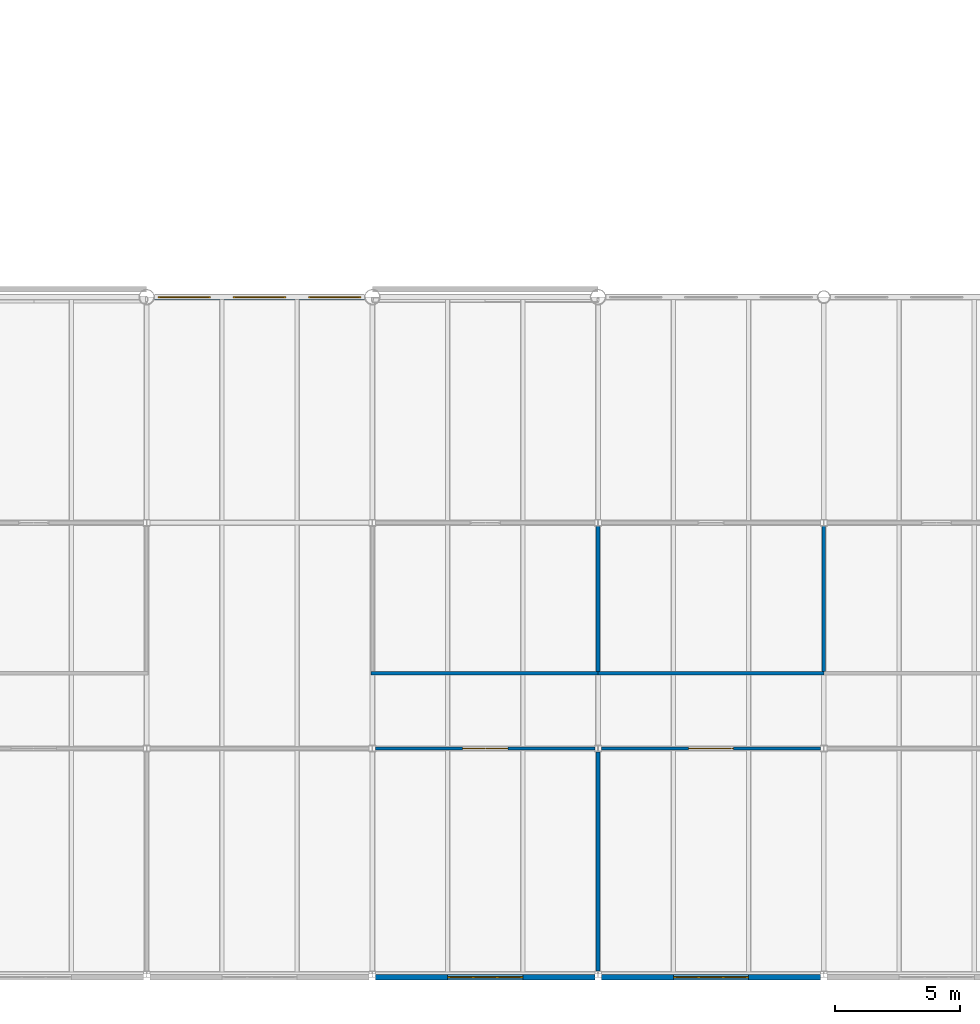
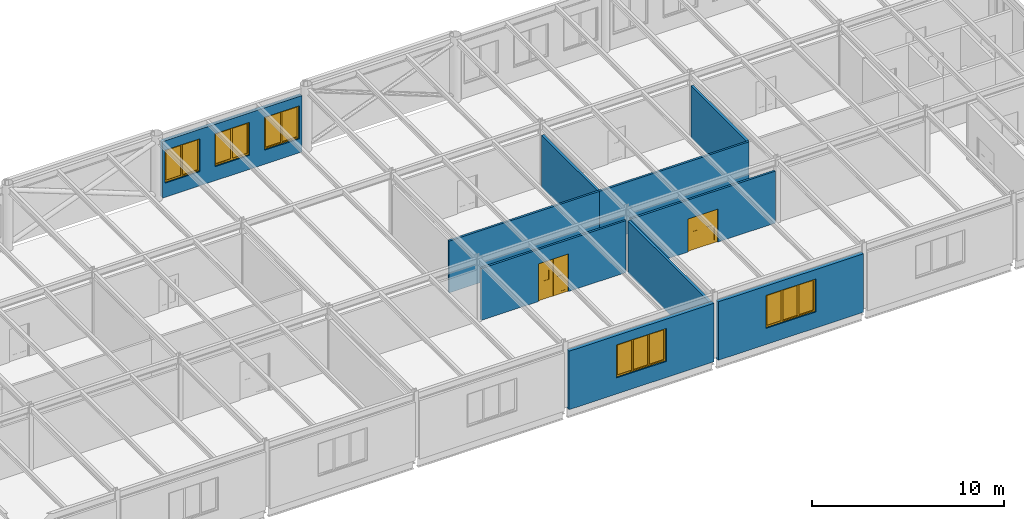
# One storey, part 64 of 123: 10 walls, 5 windows, 2 doors, 7 openings.
"""IFC4 building model written with IfcOpenShell, lengths in metres."""

from ifc_helpers import new_model, si_unit, direction, frame, frame_2d, origin, place, context, subcontext, project, spatial, polyline, rectangle, outline, extrude, material, layer, layer_set, type_object, element, fill, save


model = new_model("IFC4")

# Units and contexts
model_context = context("Model", 3, precision=1e-05, world=origin(), true_north=direction((0.0, 1.0)))
body_context = subcontext(model_context, "Body", "Model", "MODEL_VIEW")
ifc_project = project(units=[si_unit("LENGTHUNIT", "METRE"), si_unit("AREAUNIT", "SQUARE_METRE"), si_unit("VOLUMEUNIT", "CUBIC_METRE"), si_unit("PLANEANGLEUNIT", "RADIAN"), si_unit("MASSUNIT", "GRAM", prefix="KILO")], contexts=[model_context])

# Site, building, storey
site_placement = place(None, origin())
site = spatial("IfcSite", under=ifc_project, at=site_placement, CompositionType="ELEMENT")
building_placement = place(site_placement, origin())
building = spatial("IfcBuilding", under=site, at=building_placement, Name="Baradari Gate Terminus", CompositionType="ELEMENT")
storey_placement = place(building_placement, frame((0.0, 0.0, 7.5)))
storey = spatial("IfcBuildingStorey", under=building, at=storey_placement, Name="L01", CompositionType="ELEMENT", Elevation=7.5)

# Wall, opening, door
ifc_material_1 = material(Name="Gypsum board")
ifc_layer_1 = layer(ifc_material_1, 0.125)
ifc_layer_set_1 = layer_set([ifc_layer_1], Name="Gypsum board")
wall_type_1 = type_object("IfcWallType", Name="Corridor partition PT-5 125 EI 30", PredefinedType="PARTITIONING", material=ifc_layer_set_1)
wall_1_placement = place(storey_placement, frame((134.871826171875, 18.0, 0.0), z_axis=(0.0, 0.0, 1.0), x_axis=(-1.0, 0.0, 0.0)))
wall_1 = element("IfcWall", 1, at=wall_1_placement, inside=storey, type_object=wall_type_1, Name="PT-5 partition Corridor (Service Corridor South) / Open Office South", PredefinedType="PARTITIONING", context=body_context, shape_type="SweptSolid", body=[
    extrude(rectangle(XDim=8.74365234375, YDim=0.125, at=frame_2d((4.371826171875, 0.0))), origin(), (0.0, 0.0, 1.0), 3.306884765625),
])
opening_1_placement = place(wall_1_placement, frame((3.471923828125, 0.0, 0.0)))
opening_1 = element("IfcOpeningElement", 2, at=opening_1_placement, cuts=wall_1, Name="Opening D01-085", PredefinedType="OPENING", context=body_context, shape_type="SweptSolid", body=[
    extrude(rectangle(XDim=1.800048828125, YDim=2.10009765625, at=frame_2d((0.89990234375, 1.050048828125))), frame((0.0, 0.072509765625, 0.0), z_axis=(0.0, -1.0, 0.0), x_axis=(1.0, 0.0, 0.0)), (0.0, 0.0, 1.0), 0.14501953125),
])
ifc_material_2 = material(Name="Steel S275", Category="steel")
door_type_1 = type_object("IfcDoorType", Name="Fire door FI-1800-FD30S 1800x2100 FD30S", OperationType="DOUBLE_DOOR_SINGLE_SWING", PredefinedType="DOOR", material=ifc_material_2)
door_1_placement = place(opening_1_placement, origin())
door_1 = element("IfcDoor", 3, at=door_1_placement, inside=storey, type_object=door_type_1, Name="Door Open Office South", OperationType="DOUBLE_DOOR_SINGLE_SWING", OverallHeight=2.1, OverallWidth=1.8, PredefinedType="DOOR", context=body_context, shape_type="SweptSolid", body=[
    extrude(outline(polyline([(0.0, 0.0), (0.070068359375, 0.0), (0.070068359375, 2.030029296875), (1.72998046875, 2.030029296875), (1.72998046875, 0.0), (1.800048828125, 0.0), (1.800048828125, 2.10009765625), (0.0, 2.10009765625), (0.0, 0.0)])), frame((0.0, 0.02490234375, 0.0), z_axis=(0.0, -1.0, 0.0), x_axis=(1.0, 0.0, 0.0)), (0.0, 0.0, 1.0), 0.050048828125),
    extrude(outline(polyline([(0.073974609375, 0.010009765625), (0.89697265625, 0.010009765625), (0.89697265625, 2.026123046875), (0.073974609375, 2.026123046875), (0.073974609375, 0.010009765625)]), holes=[polyline([(0.194091796875, 0.159912109375), (0.77685546875, 0.159912109375), (0.77685546875, 1.010009765625), (0.194091796875, 1.010009765625), (0.194091796875, 0.159912109375)]), polyline([(0.33544921875, 1.159912109375), (0.635498046875, 1.159912109375), (0.635498046875, 1.760009765625), (0.33544921875, 1.760009765625), (0.33544921875, 1.159912109375)])]), frame((0.0, 0.017333984375, 0.0), z_axis=(0.0, -1.0, 0.0), x_axis=(1.0, 0.0, 0.0)), (0.0, 0.0, 1.0), 0.034912109375),
    extrude(rectangle(XDim=0.582763671875, YDim=0.85009765625, at=frame_2d((0.4853515625, 0.5849609375))), frame((0.0, 0.008544921875, 0.0), z_axis=(0.0, -1.0, 0.0), x_axis=(1.0, 0.0, 0.0)), (0.0, 0.0, 1.0), 0.017333984375),
    extrude(rectangle(XDim=0.300048828125, YDim=0.60009765625, at=frame_2d((0.4853515625, 1.4599609375))), frame((0.0, 0.005859375, 0.0), z_axis=(0.0, -1.0, 0.0), x_axis=(1.0, 0.0, 0.0)), (0.0, 0.0, 1.0), 0.011962890625),
    extrude(outline(polyline([(0.903076171875, 0.010009765625), (1.72607421875, 0.010009765625), (1.72607421875, 2.026123046875), (0.903076171875, 2.026123046875), (0.903076171875, 0.010009765625)]), holes=[polyline([(1.023193359375, 0.159912109375), (1.60595703125, 0.159912109375), (1.60595703125, 1.010009765625), (1.023193359375, 1.010009765625), (1.023193359375, 0.159912109375)]), polyline([(1.16455078125, 1.159912109375), (1.464599609375, 1.159912109375), (1.464599609375, 1.760009765625), (1.16455078125, 1.760009765625), (1.16455078125, 1.159912109375)])]), frame((0.0, 0.017333984375, 0.0), z_axis=(0.0, -1.0, 0.0), x_axis=(1.0, 0.0, 0.0)), (0.0, 0.0, 1.0), 0.034912109375),
    extrude(rectangle(XDim=0.582763671875, YDim=0.85009765625, at=frame_2d((1.314453125, 0.5849609375))), frame((0.0, 0.008544921875, 0.0), z_axis=(0.0, -1.0, 0.0), x_axis=(1.0, 0.0, 0.0)), (0.0, 0.0, 1.0), 0.017333984375),
    extrude(rectangle(XDim=0.300048828125, YDim=0.60009765625, at=frame_2d((1.314453125, 1.4599609375))), frame((0.0, 0.005859375, 0.0), z_axis=(0.0, -1.0, 0.0), x_axis=(1.0, 0.0, 0.0)), (0.0, 0.0, 1.0), 0.011962890625),
])
fill(opening_1, door_1)

wall_2_placement = place(storey_placement, frame((125.871826171875, 18.0, 0.0), z_axis=(0.0, 0.0, 1.0), x_axis=(-1.0, 0.0, 0.0)))
wall_2 = element("IfcWall", 4, at=wall_2_placement, inside=storey, type_object=wall_type_1, Name="PT-5 partition Corridor (Service Corridor South) / Training Room South", PredefinedType="PARTITIONING", context=body_context, shape_type="SweptSolid", body=[
    extrude(rectangle(XDim=8.74365234375, YDim=0.125, at=frame_2d((4.371826171875, 0.0))), origin(), (0.0, 0.0, 1.0), 3.306884765625),
])
opening_2_placement = place(wall_2_placement, frame((3.471923828125, 0.0, 0.0)))
opening_2 = element("IfcOpeningElement", 5, at=opening_2_placement, cuts=wall_2, Name="Opening D01-084", PredefinedType="OPENING", context=body_context, shape_type="SweptSolid", body=[
    extrude(rectangle(XDim=1.800048828125, YDim=2.39990234375, at=frame_2d((0.89990234375, 1.199951171875))), frame((0.0, 0.072509765625, 0.0), z_axis=(0.0, -1.0, 0.0), x_axis=(1.0, 0.0, 0.0)), (0.0, 0.0, 1.0), 0.14501953125),
])
ifc_material_3 = material(Name="Steel S275", Category="steel")
door_type_2 = type_object("IfcDoorType", Name="Fire door FI-1800x2400-FD30S 1800x2400 FD30S", OperationType="DOUBLE_DOOR_SINGLE_SWING", PredefinedType="DOOR", material=ifc_material_3)
door_2_placement = place(opening_2_placement, frame((1.800048828125, 0.0, 0.0), z_axis=(0.0, 0.0, 1.0), x_axis=(-1.0, 0.0, 0.0)))
door_2 = element("IfcDoor", 6, at=door_2_placement, inside=storey, type_object=door_type_2, Name="Door Training Room South", OperationType="DOUBLE_DOOR_SINGLE_SWING", OverallHeight=2.4, OverallWidth=1.8, PredefinedType="DOOR", context=body_context, shape_type="SweptSolid", body=[
    extrude(outline(polyline([(0.0, 0.0), (0.070068359375, 0.0), (0.070068359375, 2.329833984375), (1.72998046875, 2.329833984375), (1.72998046875, 0.0), (1.800048828125, 0.0), (1.800048828125, 2.39990234375), (0.0, 2.39990234375), (0.0, 0.0)])), frame((0.0, 0.02490234375, 0.0), z_axis=(0.0, -1.0, 0.0), x_axis=(1.0, 0.0, 0.0)), (0.0, 0.0, 1.0), 0.050048828125),
    extrude(outline(polyline([(0.073974609375, 0.010009765625), (0.89697265625, 0.010009765625), (0.89697265625, 2.325927734375), (0.073974609375, 2.325927734375), (0.073974609375, 0.010009765625)]), holes=[polyline([(0.194091796875, 0.159912109375), (0.77685546875, 0.159912109375), (0.77685546875, 1.010009765625), (0.194091796875, 1.010009765625), (0.194091796875, 0.159912109375)]), polyline([(0.33544921875, 1.159912109375), (0.635498046875, 1.159912109375), (0.635498046875, 1.760009765625), (0.33544921875, 1.760009765625), (0.33544921875, 1.159912109375)])]), frame((0.0, 0.017333984375, 0.0), z_axis=(0.0, -1.0, 0.0), x_axis=(1.0, 0.0, 0.0)), (0.0, 0.0, 1.0), 0.034912109375),
    extrude(rectangle(XDim=0.582763671875, YDim=0.85009765625, at=frame_2d((0.4853515625, 0.5849609375))), frame((0.0, 0.008544921875, 0.0), z_axis=(0.0, -1.0, 0.0), x_axis=(1.0, 0.0, 0.0)), (0.0, 0.0, 1.0), 0.017333984375),
    extrude(rectangle(XDim=0.300048828125, YDim=0.60009765625, at=frame_2d((0.4853515625, 1.4599609375))), frame((0.0, 0.005859375, 0.0), z_axis=(0.0, -1.0, 0.0), x_axis=(1.0, 0.0, 0.0)), (0.0, 0.0, 1.0), 0.011962890625),
    extrude(outline(polyline([(0.903076171875, 0.010009765625), (1.72607421875, 0.010009765625), (1.72607421875, 2.325927734375), (0.903076171875, 2.325927734375), (0.903076171875, 0.010009765625)]), holes=[polyline([(1.023193359375, 0.159912109375), (1.60595703125, 0.159912109375), (1.60595703125, 1.010009765625), (1.023193359375, 1.010009765625), (1.023193359375, 0.159912109375)]), polyline([(1.16455078125, 1.159912109375), (1.464599609375, 1.159912109375), (1.464599609375, 1.760009765625), (1.16455078125, 1.760009765625), (1.16455078125, 1.159912109375)])]), frame((0.0, 0.017333984375, 0.0), z_axis=(0.0, -1.0, 0.0), x_axis=(1.0, 0.0, 0.0)), (0.0, 0.0, 1.0), 0.034912109375),
    extrude(rectangle(XDim=0.582763671875, YDim=0.85009765625, at=frame_2d((1.314453125, 0.5849609375))), frame((0.0, 0.008544921875, 0.0), z_axis=(0.0, -1.0, 0.0), x_axis=(1.0, 0.0, 0.0)), (0.0, 0.0, 1.0), 0.017333984375),
    extrude(rectangle(XDim=0.300048828125, YDim=0.60009765625, at=frame_2d((1.314453125, 1.4599609375))), frame((0.0, 0.005859375, 0.0), z_axis=(0.0, -1.0, 0.0), x_axis=(1.0, 0.0, 0.0)), (0.0, 0.0, 1.0), 0.011962890625),
])
fill(opening_2, door_2)

# Walls
wall_3_placement = place(storey_placement, frame((126.0, 21.0, 0.0), z_axis=(0.0, 0.0, 1.0), x_axis=(1.0, 0.0, 0.0)))
element("IfcWall", 7, at=wall_3_placement, inside=storey, type_object=wall_type_1, Name="PT-5 partition Corridor (Service Corridor South) / Meeting Room 3", PredefinedType="PARTITIONING", context=body_context, shape_type="SweptSolid", body=[
    extrude(rectangle(XDim=9.0, YDim=0.125, at=frame_2d((4.5, 0.0))), origin(), (0.0, 0.0, 1.0), 3.306884765625),
])
wall_4_placement = place(storey_placement, frame((116.9375, 21.0, 0.0), z_axis=(0.0, 0.0, 1.0), x_axis=(1.0, 0.0, 0.0)))
element("IfcWall", 8, at=wall_4_placement, inside=storey, type_object=wall_type_1, Name="PT-5 partition Corridor (Service Corridor South) / South Wing Office 5", PredefinedType="PARTITIONING", context=body_context, shape_type="SweptSolid", body=[
    extrude(rectangle(XDim=9.0625, YDim=0.125, at=frame_2d((4.53125, 0.0))), origin(), (0.0, 0.0, 1.0), 3.306884765625),
])

# Wall, opening, window
ifc_material_4 = material(Name="Light ochre laterite masonry", Category="masonry")
ifc_layer_2 = layer(ifc_material_4, 0.219970703125)
ifc_layer_set_2 = layer_set([ifc_layer_2], Name="Light ochre laterite masonry")
wall_type_2 = type_object("IfcWallType", Name="Laterite masonry wall WP-2 220", PredefinedType="SOLIDWALL", material=ifc_layer_set_2)
wall_5_placement = place(storey_placement, frame((117.127197265625, 8.880126953125, -0.1298828125), z_axis=(0.0, 0.0, 1.0), x_axis=(1.0, 0.0, 0.0)))
wall_5 = element("IfcWall", 9, at=wall_5_placement, inside=storey, type_object=wall_type_2, Name="south front wall SS bay 14 L01", PredefinedType="SOLIDWALL", context=body_context, shape_type="SweptSolid", body=[
    extrude(rectangle(XDim=8.74560546875, YDim=0.219970703125, at=frame_2d((4.372802734375, 0.0))), origin(), (0.0, 0.0, 1.0), 3.7265625),
])
opening_3_placement = place(wall_5_placement, frame((2.872802734375, 0.0, 1.030029296875)))
opening_3 = element("IfcOpeningElement", 10, at=opening_3_placement, cuts=wall_5, Name="Opening W5", PredefinedType="OPENING", context=body_context, shape_type="SweptSolid", body=[
    extrude(rectangle(XDim=3.0, YDim=2.10009765625, at=frame_2d((1.5, 1.050048828125))), frame((0.0, 0.119873046875, 0.0), z_axis=(0.0, -1.0, 0.0), x_axis=(1.0, 0.0, 0.0)), (0.0, 0.0, 1.0), 0.239990234375),
])
ifc_material_5 = material(Name="Aluminium 6063-T6", Category="aluminium")
window_type_1 = type_object("IfcWindowType", Name="Wide window, 4-light W5 3000x2100", PartitioningType="TRIPLE_PANEL_VERTICAL", PredefinedType="WINDOW", material=ifc_material_5)
window_1_placement = place(opening_3_placement, origin())
window_1 = element("IfcWindow", 11, at=window_1_placement, inside=storey, type_object=window_type_1, Name="Window W5 SS/13", OverallHeight=2.1, OverallWidth=3.0, PartitioningType="TRIPLE_PANEL_VERTICAL", PredefinedType="WINDOW", context=body_context, shape_type="SweptSolid", body=[
    extrude(outline(polyline([(0.0, 0.0), (3.0, 0.0), (3.0, 2.10009765625), (0.0, 2.10009765625), (0.0, 0.0)]), holes=[polyline([(0.070068359375, 0.070068359375), (2.929931640625, 0.070068359375), (2.929931640625, 2.030029296875), (0.070068359375, 2.030029296875), (0.070068359375, 0.070068359375)])]), frame((0.0, 0.030029296875, 0.0), z_axis=(0.0, -1.0, 0.0), x_axis=(1.0, 0.0, 0.0)), (0.0, 0.0, 1.0), 0.06005859375),
    extrude(rectangle(XDim=0.0400390625, YDim=1.9599609375, at=frame_2d((1.0166015625, 1.050048828125))), frame((0.0, 0.02197265625, 0.0), z_axis=(0.0, -1.0, 0.0), x_axis=(1.0, 0.0, 0.0)), (0.0, 0.0, 1.0), 0.0439453125),
    extrude(rectangle(XDim=0.0400390625, YDim=1.9599609375, at=frame_2d((1.9833984375, 1.050048828125))), frame((0.0, 0.02197265625, 0.0), z_axis=(0.0, -1.0, 0.0), x_axis=(1.0, 0.0, 0.0)), (0.0, 0.0, 1.0), 0.0439453125),
    extrude(outline(polyline([(0.070068359375, 0.070068359375), (0.99658203125, 0.070068359375), (0.99658203125, 2.030029296875), (0.070068359375, 2.030029296875), (0.070068359375, 0.070068359375)]), holes=[polyline([(0.10009765625, 0.10009765625), (0.966552734375, 0.10009765625), (0.966552734375, 2.0), (0.10009765625, 2.0), (0.10009765625, 0.10009765625)])]), frame((0.0, 0.0224609375, 0.0), z_axis=(0.0, -1.0, 0.0), x_axis=(1.0, 0.0, 0.0)), (0.0, 0.0, 1.0), 0.044921875),
    extrude(rectangle(XDim=0.866455078125, YDim=1.89990234375, at=frame_2d((0.533203125, 1.050048828125))), frame((0.0, 0.006103515625, 0.0), z_axis=(0.0, -1.0, 0.0), x_axis=(1.0, 0.0, 0.0)), (0.0, 0.0, 1.0), 0.01220703125),
    extrude(outline(polyline([(1.03662109375, 0.070068359375), (1.96337890625, 0.070068359375), (1.96337890625, 2.030029296875), (1.03662109375, 2.030029296875), (1.03662109375, 0.070068359375)]), holes=[polyline([(1.066650390625, 0.10009765625), (1.933349609375, 0.10009765625), (1.933349609375, 2.0), (1.066650390625, 2.0), (1.066650390625, 0.10009765625)])]), frame((0.0, 0.0224609375, 0.0), z_axis=(0.0, -1.0, 0.0), x_axis=(1.0, 0.0, 0.0)), (0.0, 0.0, 1.0), 0.044921875),
    extrude(rectangle(XDim=0.86669921875, YDim=1.89990234375, at=frame_2d((1.5, 1.050048828125))), frame((0.0, 0.006103515625, 0.0), z_axis=(0.0, -1.0, 0.0), x_axis=(1.0, 0.0, 0.0)), (0.0, 0.0, 1.0), 0.01220703125),
    extrude(outline(polyline([(2.00341796875, 0.070068359375), (2.929931640625, 0.070068359375), (2.929931640625, 2.030029296875), (2.00341796875, 2.030029296875), (2.00341796875, 0.070068359375)]), holes=[polyline([(2.033447265625, 0.10009765625), (2.89990234375, 0.10009765625), (2.89990234375, 2.0), (2.033447265625, 2.0), (2.033447265625, 0.10009765625)])]), frame((0.0, 0.0224609375, 0.0), z_axis=(0.0, -1.0, 0.0), x_axis=(1.0, 0.0, 0.0)), (0.0, 0.0, 1.0), 0.044921875),
    extrude(rectangle(XDim=0.866455078125, YDim=1.89990234375, at=frame_2d((2.466796875, 1.050048828125))), frame((0.0, 0.006103515625, 0.0), z_axis=(0.0, -1.0, 0.0), x_axis=(1.0, 0.0, 0.0)), (0.0, 0.0, 1.0), 0.01220703125),
])
fill(opening_3, window_1)

wall_6_placement = place(storey_placement, frame((126.127197265625, 8.880126953125, -0.1298828125), z_axis=(0.0, 0.0, 1.0), x_axis=(1.0, 0.0, 0.0)))
wall_6 = element("IfcWall", 12, at=wall_6_placement, inside=storey, type_object=wall_type_2, Name="south front wall SS bay 15 L01", PredefinedType="SOLIDWALL", context=body_context, shape_type="SweptSolid", body=[
    extrude(rectangle(XDim=8.74560546875, YDim=0.219970703125, at=frame_2d((4.372802734375, 0.0))), origin(), (0.0, 0.0, 1.0), 3.7265625),
])
opening_4_placement = place(wall_6_placement, frame((2.872802734375, 0.0, 1.030029296875)))
opening_4 = element("IfcOpeningElement", 13, at=opening_4_placement, cuts=wall_6, Name="Opening W5", PredefinedType="OPENING", context=body_context, shape_type="SweptSolid", body=[
    extrude(rectangle(XDim=3.0, YDim=2.10009765625, at=frame_2d((1.5, 1.050048828125))), frame((0.0, 0.119873046875, 0.0), z_axis=(0.0, -1.0, 0.0), x_axis=(1.0, 0.0, 0.0)), (0.0, 0.0, 1.0), 0.239990234375),
])
window_2_placement = place(opening_4_placement, origin())
window_2 = element("IfcWindow", 14, at=window_2_placement, inside=storey, type_object=window_type_1, Name="Window W5 SS/14", OverallHeight=2.1, OverallWidth=3.0, PartitioningType="TRIPLE_PANEL_VERTICAL", PredefinedType="WINDOW", context=body_context, shape_type="SweptSolid", body=[
    extrude(outline(polyline([(0.0, 0.0), (3.0, 0.0), (3.0, 2.10009765625), (0.0, 2.10009765625), (0.0, 0.0)]), holes=[polyline([(0.070068359375, 0.070068359375), (2.929931640625, 0.070068359375), (2.929931640625, 2.030029296875), (0.070068359375, 2.030029296875), (0.070068359375, 0.070068359375)])]), frame((0.0, 0.030029296875, 0.0), z_axis=(0.0, -1.0, 0.0), x_axis=(1.0, 0.0, 0.0)), (0.0, 0.0, 1.0), 0.06005859375),
    extrude(rectangle(XDim=0.0400390625, YDim=1.9599609375, at=frame_2d((1.0166015625, 1.050048828125))), frame((0.0, 0.02197265625, 0.0), z_axis=(0.0, -1.0, 0.0), x_axis=(1.0, 0.0, 0.0)), (0.0, 0.0, 1.0), 0.0439453125),
    extrude(rectangle(XDim=0.0400390625, YDim=1.9599609375, at=frame_2d((1.9833984375, 1.050048828125))), frame((0.0, 0.02197265625, 0.0), z_axis=(0.0, -1.0, 0.0), x_axis=(1.0, 0.0, 0.0)), (0.0, 0.0, 1.0), 0.0439453125),
    extrude(outline(polyline([(0.070068359375, 0.070068359375), (0.99658203125, 0.070068359375), (0.99658203125, 2.030029296875), (0.070068359375, 2.030029296875), (0.070068359375, 0.070068359375)]), holes=[polyline([(0.10009765625, 0.10009765625), (0.966552734375, 0.10009765625), (0.966552734375, 2.0), (0.10009765625, 2.0), (0.10009765625, 0.10009765625)])]), frame((0.0, 0.0224609375, 0.0), z_axis=(0.0, -1.0, 0.0), x_axis=(1.0, 0.0, 0.0)), (0.0, 0.0, 1.0), 0.044921875),
    extrude(rectangle(XDim=0.866455078125, YDim=1.89990234375, at=frame_2d((0.533203125, 1.050048828125))), frame((0.0, 0.006103515625, 0.0), z_axis=(0.0, -1.0, 0.0), x_axis=(1.0, 0.0, 0.0)), (0.0, 0.0, 1.0), 0.01220703125),
    extrude(outline(polyline([(1.03662109375, 0.070068359375), (1.96337890625, 0.070068359375), (1.96337890625, 2.030029296875), (1.03662109375, 2.030029296875), (1.03662109375, 0.070068359375)]), holes=[polyline([(1.066650390625, 0.10009765625), (1.933349609375, 0.10009765625), (1.933349609375, 2.0), (1.066650390625, 2.0), (1.066650390625, 0.10009765625)])]), frame((0.0, 0.0224609375, 0.0), z_axis=(0.0, -1.0, 0.0), x_axis=(1.0, 0.0, 0.0)), (0.0, 0.0, 1.0), 0.044921875),
    extrude(rectangle(XDim=0.86669921875, YDim=1.89990234375, at=frame_2d((1.5, 1.050048828125))), frame((0.0, 0.006103515625, 0.0), z_axis=(0.0, -1.0, 0.0), x_axis=(1.0, 0.0, 0.0)), (0.0, 0.0, 1.0), 0.01220703125),
    extrude(outline(polyline([(2.00341796875, 0.070068359375), (2.929931640625, 0.070068359375), (2.929931640625, 2.030029296875), (2.00341796875, 2.030029296875), (2.00341796875, 0.070068359375)]), holes=[polyline([(2.033447265625, 0.10009765625), (2.89990234375, 0.10009765625), (2.89990234375, 2.0), (2.033447265625, 2.0), (2.033447265625, 0.10009765625)])]), frame((0.0, 0.0224609375, 0.0), z_axis=(0.0, -1.0, 0.0), x_axis=(1.0, 0.0, 0.0)), (0.0, 0.0, 1.0), 0.044921875),
    extrude(rectangle(XDim=0.866455078125, YDim=1.89990234375, at=frame_2d((2.466796875, 1.050048828125))), frame((0.0, 0.006103515625, 0.0), z_axis=(0.0, -1.0, 0.0), x_axis=(1.0, 0.0, 0.0)), (0.0, 0.0, 1.0), 0.01220703125),
])
fill(opening_4, window_2)

# Wall, openings, windows
wall_7_placement = place(storey_placement, frame((108.304931640625, 36.0, 0.0), z_axis=(0.0, 0.0, 1.0), x_axis=(1.0, 0.0, 0.0)))
wall_7 = element("IfcWall", 15, at=wall_7_placement, inside=storey, type_object=wall_type_2, Name="platform side wall SN bay 13 L01", PredefinedType="SOLIDWALL", context=body_context, shape_type="SweptSolid", body=[
    extrude(rectangle(XDim=8.39013671875, YDim=0.219970703125, at=frame_2d((4.195068359375, 0.0))), origin(), (0.0, 0.0, 1.0), 3.5966796875),
])
opening_5_placement = place(wall_7_placement, frame((0.14501953125, 0.0, 0.89990234375)))
opening_5 = element("IfcOpeningElement", 16, at=opening_5_placement, cuts=wall_7, Name="Opening W13", PredefinedType="OPENING", context=body_context, shape_type="SweptSolid", body=[
    extrude(rectangle(XDim=2.10009765625, YDim=2.10009765625, at=frame_2d((1.050048828125, 1.050048828125))), frame((0.0, 0.119873046875, 0.0), z_axis=(0.0, -1.0, 0.0), x_axis=(1.0, 0.0, 0.0)), (0.0, 0.0, 1.0), 0.239990234375),
])
opening_6_placement = place(wall_7_placement, frame((3.14501953125, 0.0, 0.89990234375)))
opening_6 = element("IfcOpeningElement", 17, at=opening_6_placement, cuts=wall_7, Name="Opening W13", PredefinedType="OPENING", context=body_context, shape_type="SweptSolid", body=[
    extrude(rectangle(XDim=2.10009765625, YDim=2.10009765625, at=frame_2d((1.050048828125, 1.050048828125))), frame((0.0, 0.119873046875, 0.0), z_axis=(0.0, -1.0, 0.0), x_axis=(1.0, 0.0, 0.0)), (0.0, 0.0, 1.0), 0.239990234375),
])
opening_7_placement = place(wall_7_placement, frame((6.14501953125, 0.0, 0.89990234375)))
opening_7 = element("IfcOpeningElement", 18, at=opening_7_placement, cuts=wall_7, Name="Opening W13", PredefinedType="OPENING", context=body_context, shape_type="SweptSolid", body=[
    extrude(rectangle(XDim=2.10009765625, YDim=2.10009765625, at=frame_2d((1.050048828125, 1.050048828125))), frame((0.0, 0.119873046875, 0.0), z_axis=(0.0, -1.0, 0.0), x_axis=(1.0, 0.0, 0.0)), (0.0, 0.0, 1.0), 0.239990234375),
])
ifc_material_6 = material(Name="Aluminium 6063-T6", Category="aluminium")
window_type_2 = type_object("IfcWindowType", Name="Platform-side office window W13 2100x2100", PartitioningType="DOUBLE_PANEL_VERTICAL", PredefinedType="WINDOW", material=ifc_material_6)
window_3_placement = place(opening_5_placement, origin())
window_3 = element("IfcWindow", 19, at=window_3_placement, inside=storey, type_object=window_type_2, Name="Window W13 SN/12", OverallHeight=2.1, OverallWidth=2.1, PartitioningType="DOUBLE_PANEL_VERTICAL", PredefinedType="WINDOW", context=body_context, shape_type="SweptSolid", body=[
    extrude(outline(polyline([(0.0, 0.0), (2.10009765625, 0.0), (2.10009765625, 2.10009765625), (0.0, 2.10009765625), (0.0, 0.0)]), holes=[polyline([(0.070068359375, 0.070068359375), (2.030029296875, 0.070068359375), (2.030029296875, 2.030029296875), (0.070068359375, 2.030029296875), (0.070068359375, 0.070068359375)])]), frame((0.0, 0.030029296875, 0.0), z_axis=(0.0, -1.0, 0.0), x_axis=(1.0, 0.0, 0.0)), (0.0, 0.0, 1.0), 0.06005859375),
    extrude(rectangle(XDim=0.0400390625, YDim=1.9599609375, at=frame_2d((1.050048828125, 1.050048828125))), frame((0.0, 0.02197265625, 0.0), z_axis=(0.0, -1.0, 0.0), x_axis=(1.0, 0.0, 0.0)), (0.0, 0.0, 1.0), 0.0439453125),
    extrude(outline(polyline([(0.070068359375, 0.070068359375), (1.030029296875, 0.070068359375), (1.030029296875, 2.030029296875), (0.070068359375, 2.030029296875), (0.070068359375, 0.070068359375)]), holes=[polyline([(0.10009765625, 0.10009765625), (1.0, 0.10009765625), (1.0, 2.0), (0.10009765625, 2.0), (0.10009765625, 0.10009765625)])]), frame((0.0, 0.0224609375, 0.0), z_axis=(0.0, -1.0, 0.0), x_axis=(1.0, 0.0, 0.0)), (0.0, 0.0, 1.0), 0.044921875),
    extrude(rectangle(XDim=0.89990234375, YDim=1.89990234375, at=frame_2d((0.550048828125, 1.050048828125))), frame((0.0, 0.006103515625, 0.0), z_axis=(0.0, -1.0, 0.0), x_axis=(1.0, 0.0, 0.0)), (0.0, 0.0, 1.0), 0.01220703125),
    extrude(outline(polyline([(1.070068359375, 0.070068359375), (2.030029296875, 0.070068359375), (2.030029296875, 2.030029296875), (1.070068359375, 2.030029296875), (1.070068359375, 0.070068359375)]), holes=[polyline([(1.10009765625, 0.10009765625), (2.0, 0.10009765625), (2.0, 2.0), (1.10009765625, 2.0), (1.10009765625, 0.10009765625)])]), frame((0.0, 0.0224609375, 0.0), z_axis=(0.0, -1.0, 0.0), x_axis=(1.0, 0.0, 0.0)), (0.0, 0.0, 1.0), 0.044921875),
    extrude(rectangle(XDim=0.89990234375, YDim=1.89990234375, at=frame_2d((1.550048828125, 1.050048828125))), frame((0.0, 0.006103515625, 0.0), z_axis=(0.0, -1.0, 0.0), x_axis=(1.0, 0.0, 0.0)), (0.0, 0.0, 1.0), 0.01220703125),
])
fill(opening_5, window_3)
window_4_placement = place(opening_6_placement, origin())
window_4 = element("IfcWindow", 20, at=window_4_placement, inside=storey, type_object=window_type_2, Name="Window W13 SN/12", OverallHeight=2.1, OverallWidth=2.1, PartitioningType="DOUBLE_PANEL_VERTICAL", PredefinedType="WINDOW", context=body_context, shape_type="SweptSolid", body=[
    extrude(outline(polyline([(0.0, 0.0), (2.10009765625, 0.0), (2.10009765625, 2.10009765625), (0.0, 2.10009765625), (0.0, 0.0)]), holes=[polyline([(0.070068359375, 0.070068359375), (2.030029296875, 0.070068359375), (2.030029296875, 2.030029296875), (0.070068359375, 2.030029296875), (0.070068359375, 0.070068359375)])]), frame((0.0, 0.030029296875, 0.0), z_axis=(0.0, -1.0, 0.0), x_axis=(1.0, 0.0, 0.0)), (0.0, 0.0, 1.0), 0.06005859375),
    extrude(rectangle(XDim=0.0400390625, YDim=1.9599609375, at=frame_2d((1.050048828125, 1.050048828125))), frame((0.0, 0.02197265625, 0.0), z_axis=(0.0, -1.0, 0.0), x_axis=(1.0, 0.0, 0.0)), (0.0, 0.0, 1.0), 0.0439453125),
    extrude(outline(polyline([(0.070068359375, 0.070068359375), (1.030029296875, 0.070068359375), (1.030029296875, 2.030029296875), (0.070068359375, 2.030029296875), (0.070068359375, 0.070068359375)]), holes=[polyline([(0.10009765625, 0.10009765625), (1.0, 0.10009765625), (1.0, 2.0), (0.10009765625, 2.0), (0.10009765625, 0.10009765625)])]), frame((0.0, 0.0224609375, 0.0), z_axis=(0.0, -1.0, 0.0), x_axis=(1.0, 0.0, 0.0)), (0.0, 0.0, 1.0), 0.044921875),
    extrude(rectangle(XDim=0.89990234375, YDim=1.89990234375, at=frame_2d((0.550048828125, 1.050048828125))), frame((0.0, 0.006103515625, 0.0), z_axis=(0.0, -1.0, 0.0), x_axis=(1.0, 0.0, 0.0)), (0.0, 0.0, 1.0), 0.01220703125),
    extrude(outline(polyline([(1.070068359375, 0.070068359375), (2.030029296875, 0.070068359375), (2.030029296875, 2.030029296875), (1.070068359375, 2.030029296875), (1.070068359375, 0.070068359375)]), holes=[polyline([(1.10009765625, 0.10009765625), (2.0, 0.10009765625), (2.0, 2.0), (1.10009765625, 2.0), (1.10009765625, 0.10009765625)])]), frame((0.0, 0.0224609375, 0.0), z_axis=(0.0, -1.0, 0.0), x_axis=(1.0, 0.0, 0.0)), (0.0, 0.0, 1.0), 0.044921875),
    extrude(rectangle(XDim=0.89990234375, YDim=1.89990234375, at=frame_2d((1.550048828125, 1.050048828125))), frame((0.0, 0.006103515625, 0.0), z_axis=(0.0, -1.0, 0.0), x_axis=(1.0, 0.0, 0.0)), (0.0, 0.0, 1.0), 0.01220703125),
])
fill(opening_6, window_4)
window_5_placement = place(opening_7_placement, origin())
window_5 = element("IfcWindow", 21, at=window_5_placement, inside=storey, type_object=window_type_2, Name="Window W13 SN/12", OverallHeight=2.1, OverallWidth=2.1, PartitioningType="DOUBLE_PANEL_VERTICAL", PredefinedType="WINDOW", context=body_context, shape_type="SweptSolid", body=[
    extrude(outline(polyline([(0.0, 0.0), (2.10009765625, 0.0), (2.10009765625, 2.10009765625), (0.0, 2.10009765625), (0.0, 0.0)]), holes=[polyline([(0.070068359375, 0.070068359375), (2.030029296875, 0.070068359375), (2.030029296875, 2.030029296875), (0.070068359375, 2.030029296875), (0.070068359375, 0.070068359375)])]), frame((0.0, 0.030029296875, 0.0), z_axis=(0.0, -1.0, 0.0), x_axis=(1.0, 0.0, 0.0)), (0.0, 0.0, 1.0), 0.06005859375),
    extrude(rectangle(XDim=0.0400390625, YDim=1.9599609375, at=frame_2d((1.050048828125, 1.050048828125))), frame((0.0, 0.02197265625, 0.0), z_axis=(0.0, -1.0, 0.0), x_axis=(1.0, 0.0, 0.0)), (0.0, 0.0, 1.0), 0.0439453125),
    extrude(outline(polyline([(0.070068359375, 0.070068359375), (1.030029296875, 0.070068359375), (1.030029296875, 2.030029296875), (0.070068359375, 2.030029296875), (0.070068359375, 0.070068359375)]), holes=[polyline([(0.10009765625, 0.10009765625), (1.0, 0.10009765625), (1.0, 2.0), (0.10009765625, 2.0), (0.10009765625, 0.10009765625)])]), frame((0.0, 0.0224609375, 0.0), z_axis=(0.0, -1.0, 0.0), x_axis=(1.0, 0.0, 0.0)), (0.0, 0.0, 1.0), 0.044921875),
    extrude(rectangle(XDim=0.89990234375, YDim=1.89990234375, at=frame_2d((0.550048828125, 1.050048828125))), frame((0.0, 0.006103515625, 0.0), z_axis=(0.0, -1.0, 0.0), x_axis=(1.0, 0.0, 0.0)), (0.0, 0.0, 1.0), 0.01220703125),
    extrude(outline(polyline([(1.070068359375, 0.070068359375), (2.030029296875, 0.070068359375), (2.030029296875, 2.030029296875), (1.070068359375, 2.030029296875), (1.070068359375, 0.070068359375)]), holes=[polyline([(1.10009765625, 0.10009765625), (2.0, 0.10009765625), (2.0, 2.0), (1.10009765625, 2.0), (1.10009765625, 0.10009765625)])]), frame((0.0, 0.0224609375, 0.0), z_axis=(0.0, -1.0, 0.0), x_axis=(1.0, 0.0, 0.0)), (0.0, 0.0, 1.0), 0.044921875),
    extrude(rectangle(XDim=0.89990234375, YDim=1.89990234375, at=frame_2d((1.550048828125, 1.050048828125))), frame((0.0, 0.006103515625, 0.0), z_axis=(0.0, -1.0, 0.0), x_axis=(1.0, 0.0, 0.0)), (0.0, 0.0, 1.0), 0.01220703125),
])
fill(opening_7, window_5)

# Walls
ifc_material_7 = material(Name="Blockwork wall, plastered", Category="masonry")
ifc_layer_3 = layer(ifc_material_7, 0.14990234375)
ifc_layer_set_3 = layer_set([ifc_layer_3], Name="Blockwork wall, plastered")
wall_type_3 = type_object("IfcWallType", Name="Partition PT-2 150 EI 60", PredefinedType="PARTITIONING", material=ifc_layer_set_3)
for number, where, z_axis, x_axis, name in (
    (22, (126.0, 26.869873046875, 0.0), (0.0, 0.0, 1.0), (0.0, -1.0, 0.0), "PT-2 partition South Wing Office 5 / Meeting Room 3"),
    (23, (135.0, 26.869873046875, 0.0), (0.0, 0.0, 1.0), (0.0, -1.0, 0.0), "PT-2 partition Meeting Room 3 / South Wing Office 6"),
):
    element("IfcWall", number, at=place(storey_placement, frame(where, z_axis=z_axis, x_axis=x_axis)), inside=storey, type_object=wall_type_3, Name=name, PredefinedType="PARTITIONING", context=body_context, shape_type="SweptSolid", body=[
        extrude(rectangle(XDim=5.807373046875, YDim=0.14990234375, at=frame_2d((2.90380859375, 0.0))), origin(), (0.0, 0.0, 1.0), 3.306884765625),
    ])
wall_8_placement = place(storey_placement, frame((126.0, 17.869873046875, 0.0), z_axis=(0.0, 0.0, 1.0), x_axis=(0.0, -1.0, 0.0)))
element("IfcWall", 24, at=wall_8_placement, inside=storey, type_object=wall_type_3, Name="PT-2 partition Training Room South / Open Office South", PredefinedType="PARTITIONING", context=body_context, shape_type="SweptSolid", body=[
    extrude(rectangle(XDim=8.742919921875, YDim=0.14990234375, at=frame_2d((4.37158203125, 0.0))), origin(), (0.0, 0.0, 1.0), 3.306884765625),
])

save(model, "model.ifc")
